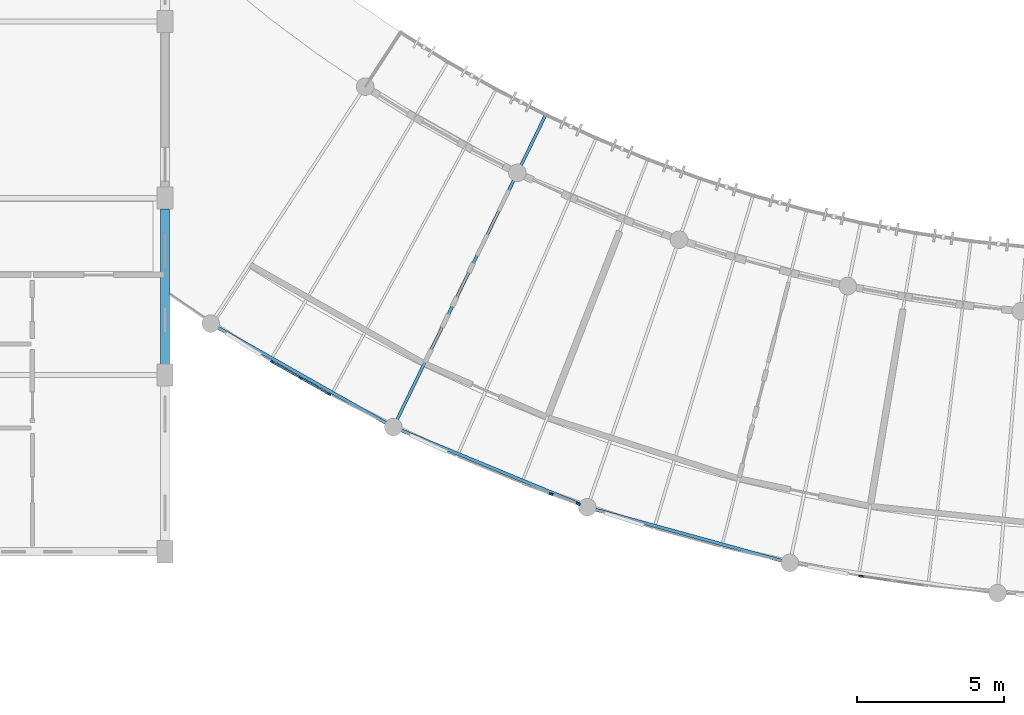
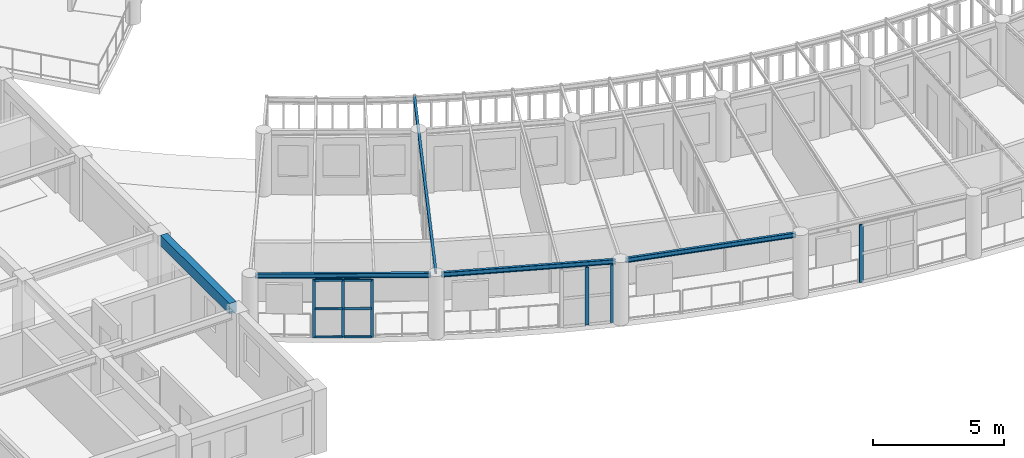
# One storey, part 4 of 100: 12 members, 5 beams, 3 elements without a shape of their own.
"""IFC4 building model written with IfcOpenShell, lengths in metres."""

from ifc_helpers import new_model, si_unit, direction, frame, origin, origin_2d, place, context, subcontext, project, spatial, rectangle, i_section, extrude, material, layer, layer_set, material_profile, profile_set, type_object, element, aggregate, save


model = new_model("IFC4")

# Units and contexts
model_context = context("Model", 3, precision=1e-05, world=origin(), true_north=direction((0.0, 1.0)))
body_context = subcontext(model_context, "Body", "Model", "MODEL_VIEW")
ifc_project = project(units=[si_unit("LENGTHUNIT", "METRE"), si_unit("AREAUNIT", "SQUARE_METRE"), si_unit("VOLUMEUNIT", "CUBIC_METRE"), si_unit("PLANEANGLEUNIT", "RADIAN"), si_unit("MASSUNIT", "GRAM", prefix="KILO"), si_unit("POWERUNIT", "WATT"), si_unit("THERMODYNAMICTEMPERATUREUNIT", "KELVIN")], contexts=[model_context])

# Site, building, storey
site_placement = place(None, origin())
site = spatial("IfcSite", under=ifc_project, at=site_placement, CompositionType="ELEMENT")
building_placement = place(site_placement, origin())
building = spatial("IfcBuilding", under=site, at=building_placement, Name="Ruvembo Vaulted Housing Court", CompositionType="ELEMENT")
storey_placement = place(building_placement, frame((0.0, 0.0, 14.10009765625)))
storey = spatial("IfcBuildingStorey", under=building, at=storey_placement, Name="L04", CompositionType="ELEMENT", Elevation=14.10009765625)

# Beams
ifc_material_1 = material(Name="Steel S355J2", Category="steel")
ifc_material_profile_1 = material_profile(ifc_material_1, i_section(OverallWidth=0.10009765625, OverallDepth=0.199951171875, WebThickness=0.005615234375, FlangeThickness=0.008544921875, FilletRadius=0.011962890625, at=origin_2d()), Name="IPE 200")
ifc_profile_set_1 = profile_set([ifc_material_profile_1], Name="Steel S355J2")
beam_type_1 = type_object("IfcBeamType", Name="BM-ST-IPE200", PredefinedType="BEAM", material=ifc_profile_set_1)
beam_1_placement = place(storey_placement, frame((43.8330078125, 10.400390625, 2.83984375), z_axis=(0.438390187834, 0.898784759111, 0.0), x_axis=(-0.898784759111, 0.438390187834, 0.0)))
element("IfcBeam", 1, at=beam_1_placement, inside=storey, type_object=beam_type_1, Name="Scoop SC2 L04 Radial Steel Joist 3", PredefinedType="BEAM", context=body_context, shape_type="SweptSolid", body=[
    extrude(i_section(OverallWidth=0.10009765625, OverallDepth=0.199951171875, WebThickness=0.005615234375, FlangeThickness=0.008544921875, FilletRadius=0.011962890625, at=origin_2d()), origin(), (0.0, 0.0, 1.0), 11.64990234375),
])
ifc_material_profile_2 = material_profile(ifc_material_1, i_section(OverallWidth=0.110107421875, OverallDepth=0.219970703125, WebThickness=0.005859375, FlangeThickness=0.00927734375, FilletRadius=0.011962890625, at=origin_2d()), Name="IPE 220")
ifc_profile_set_2 = profile_set([ifc_material_profile_2], Name="Steel S355J2")
beam_type_2 = type_object("IfcBeamType", Name="BM-ST-IPE220", PredefinedType="SPANDREL", material=ifc_profile_set_2)
beam_2_placement = place(storey_placement, frame((37.717529296875, 13.648681640625, 2.831787109375), z_axis=(0.869968867389, -0.493106651521, 0.0), x_axis=(0.493106651521, 0.869968867389, 0.0)))
element("IfcBeam", 2, at=beam_2_placement, inside=storey, type_object=beam_type_2, Name="Scoop SC2 L04 Chord Girder B0", PredefinedType="SPANDREL", context=body_context, shape_type="SweptSolid", body=[
    extrude(i_section(OverallWidth=0.110107421875, OverallDepth=0.219970703125, WebThickness=0.005859375, FlangeThickness=0.00927734375, FilletRadius=0.011962890625, at=origin_2d()), origin(), (0.0, 0.0, 1.0), 6.743896484375),
])
for number, where, z_axis, x_axis, name in (
    (3, (43.92529296875, 10.156982421875, 2.831787109375), (0.924184769777, -0.381945691575, 0.0), (0.381945691575, 0.924184769777, 0.0), "Scoop SC2 L04 Chord Girder B3"),
    (4, (50.516845703125, 7.4580078125, 2.831787109375), (0.964271768647, -0.264914998046, 0.0), (0.264914998046, 0.964271768647, 0.0), "Scoop SC2 L04 Chord Girder B6"),
):
    element("IfcBeam", number, at=place(storey_placement, frame(where, z_axis=z_axis, x_axis=x_axis)), inside=storey, type_object=beam_type_2, Name=name, PredefinedType="SPANDREL", context=body_context, shape_type="SweptSolid", body=[
        extrude(i_section(OverallWidth=0.110107421875, OverallDepth=0.219970703125, WebThickness=0.005859375, FlangeThickness=0.00927734375, FilletRadius=0.011962890625, at=origin_2d()), origin(), (0.0, 0.0, 1.0), 6.744140625),
    ])

# Curtain wall, members
ifc_material_2 = material(Name="Anodised Aluminium and Solar-Control Glass", Category="aluminium")
ifc_layer_1 = layer(ifc_material_2, 0.1201171875, Name="Anodised Aluminium and Solar-Control Glass")
ifc_layer_set_1 = layer_set([ifc_layer_1], Name="Anodised Aluminium and Solar-Control Glass")
curtain_wall_type_1 = type_object("IfcCurtainWallType", Name="CW-SCOOP-GAL", PredefinedType="NOTDEFINED", material=ifc_layer_set_1)
curtain_wall_1_placement = place(storey_placement, origin())
curtain_wall_1 = element("IfcCurtainWall", 5, at=curtain_wall_1_placement, inside=storey, type_object=curtain_wall_type_1, Name="L04 Curtain Wall CW-L04-0047", PredefinedType="NOTDEFINED")
ifc_material_3 = material(Name="Anodised Aluminium 6063-T6", Category="aluminium")
ifc_material_profile_3 = material_profile(ifc_material_3, rectangle(XDim=0.054931640625, YDim=0.1201171875, at=origin_2d()), Name="ALU 55x120")
ifc_profile_set_3 = profile_set([ifc_material_profile_3], Name="Anodised Aluminium 6063-T6")
member_type_1 = type_object("IfcMemberType", Name="CW-MUL-55x120", PredefinedType="MULLION", material=ifc_profile_set_3)
member_1_placement = place(storey_placement, frame((39.63671875, 12.4482421875, 0.0), z_axis=(0.0, 0.0, 1.0), x_axis=(0.493079088202, 0.869984489964, 0.0)))
member_1 = element("IfcMember", 6, at=member_1_placement, type_object=member_type_1, Name="CW6 mullion 1", PredefinedType="MULLION", context=body_context, shape_type="SweptSolid", body=[
    extrude(rectangle(XDim=0.054931640625, YDim=0.1201171875, at=origin_2d()), origin(), (0.0, 0.0, 1.0), 2.697998046875),
])
member_2_placement = place(storey_placement, frame((40.602783203125, 11.900634765625, 0.0), z_axis=(0.0, 0.0, 1.0), x_axis=(0.493079088202, 0.869984489964, 0.0)))
member_2 = element("IfcMember", 7, at=member_2_placement, type_object=member_type_1, Name="CW6 mullion 2", PredefinedType="MULLION", context=body_context, shape_type="SweptSolid", body=[
    extrude(rectangle(XDim=0.054931640625, YDim=0.1201171875, at=origin_2d()), origin(), (0.0, 0.0, 1.0), 2.697998046875),
])
member_3_placement = place(storey_placement, frame((41.56884765625, 11.353271484375, 0.0), z_axis=(0.0, 0.0, 1.0), x_axis=(0.493079088202, 0.869984489964, 0.0)))
member_3 = element("IfcMember", 8, at=member_3_placement, type_object=member_type_1, Name="CW6 mullion 3", PredefinedType="MULLION", context=body_context, shape_type="SweptSolid", body=[
    extrude(rectangle(XDim=0.054931640625, YDim=0.1201171875, at=origin_2d()), origin(), (0.0, 0.0, 1.0), 2.697998046875),
])

curtain_wall_2_placement = place(storey_placement, origin())
curtain_wall_2 = element("IfcCurtainWall", 9, at=curtain_wall_2_placement, inside=storey, type_object=curtain_wall_type_1, Name="L04 Curtain Wall CW-L04-0048", PredefinedType="NOTDEFINED")
ifc_material_profile_4 = material_profile(ifc_material_3, rectangle(XDim=0.06005859375, YDim=0.139892578125, at=origin_2d()), Name="ALU 60x140")
ifc_profile_set_4 = profile_set([ifc_material_profile_4], Name="Anodised Aluminium 6063-T6")
member_type_2 = type_object("IfcMemberType", Name="CW-MUL-60x140", PredefinedType="MULLION", material=ifc_profile_set_4)
member_4_placement = place(storey_placement, frame((49.1005859375, 7.95947265625, 0.0), z_axis=(0.0, 0.0, 1.0), x_axis=(0.343490217835, 0.939156254439, 0.0)))
member_4 = element("IfcMember", 10, at=member_4_placement, type_object=member_type_2, Name="CW6 mullion 2", PredefinedType="MULLION", context=body_context, shape_type="SweptSolid", body=[
    extrude(rectangle(XDim=0.06005859375, YDim=0.139892578125, at=origin_2d()), origin(), (0.0, 0.0, 1.0), 2.697998046875),
])
member_5_placement = place(storey_placement, frame((50.02392578125, 7.621826171875, 0.0), z_axis=(0.0, 0.0, 1.0), x_axis=(0.343490217835, 0.939156254439, 0.0)))
member_5 = element("IfcMember", 11, at=member_5_placement, type_object=member_type_2, Name="CW6 mullion 3", PredefinedType="MULLION", context=body_context, shape_type="SweptSolid", body=[
    extrude(rectangle(XDim=0.06005859375, YDim=0.139892578125, at=origin_2d()), origin(), (0.0, 0.0, 1.0), 2.697998046875),
])
aggregate(curtain_wall_2, [member_4, member_5])

# Curtain wall, member
ifc_layer_2 = layer(ifc_material_2, 0.139892578125, Name="Anodised Aluminium and Solar-Control Glass")
ifc_layer_set_2 = layer_set([ifc_layer_2], Name="Anodised Aluminium and Solar-Control Glass")
curtain_wall_type_2 = type_object("IfcCurtainWallType", Name="CW-SCOOP-PAN", PredefinedType="NOTDEFINED", material=ifc_layer_set_2)
curtain_wall_3_placement = place(storey_placement, origin())
curtain_wall_3 = element("IfcCurtainWall", 12, at=curtain_wall_3_placement, inside=storey, type_object=curtain_wall_type_2, Name="L04 Curtain Wall CW-L04-0049", PredefinedType="NOTDEFINED")
ifc_material_profile_5 = material_profile(ifc_material_3, rectangle(XDim=0.06005859375, YDim=0.159912109375, at=origin_2d()), Name="ALU 60x160")
ifc_profile_set_5 = profile_set([ifc_material_profile_5], Name="Anodised Aluminium 6063-T6")
member_type_3 = type_object("IfcMemberType", Name="CW-MULLION-65x150", PredefinedType="MULLION", material=ifc_profile_set_5)
member_6_placement = place(storey_placement, frame((59.617431640625, 5.1708984375, 0.0), z_axis=(0.0, 0.0, 1.0), x_axis=(0.143850661969, 0.989599407362, 0.0)))
member_6 = element("IfcMember", 13, at=member_6_placement, type_object=member_type_3, Name="CW10 mullion 1", PredefinedType="MULLION", context=body_context, shape_type="SweptSolid", body=[
    extrude(rectangle(XDim=0.06005859375, YDim=0.159912109375, at=origin_2d()), origin(), (0.0, 0.0, 1.0), 2.697998046875),
])
aggregate(curtain_wall_3, [member_6])

# Member
ifc_material_profile_6 = material_profile(ifc_material_3, rectangle(XDim=0.06005859375, YDim=0.10009765625, at=origin_2d()), Name="ALU 60x100")
ifc_profile_set_6 = profile_set([ifc_material_profile_6], Name="Anodised Aluminium 6063-T6")
member_type_4 = type_object("IfcMemberType", Name="CW-TRN-60x100", PredefinedType="USERDEFINED", material=ifc_profile_set_6)
member_7_placement = place(storey_placement, frame((39.66064453125, 12.4345703125, 0.02978515625), z_axis=(0.870045337697, -0.492971713542, 0.0), x_axis=(0.492971713542, 0.870045337697, 0.0)))
member_7 = element("IfcMember", 14, at=member_7_placement, type_object=member_type_4, Name="CW6 transom 1.1", ObjectType="TRANSOM", PredefinedType="USERDEFINED", context=body_context, shape_type="SweptSolid", body=[
    extrude(rectangle(XDim=0.06005859375, YDim=0.10009765625, at=origin_2d()), origin(), (0.0, 0.0, 1.0), 1.055419921875),
])

member_8_placement = place(storey_placement, frame((39.66064453125, 12.4345703125, 1.348876953125), z_axis=(0.870045337697, -0.492971713542, 0.0), x_axis=(0.492971713542, 0.870045337697, 0.0)))
member_8 = element("IfcMember", 15, at=member_8_placement, type_object=member_type_4, Name="CW6 transom 1.2", ObjectType="TRANSOM", PredefinedType="USERDEFINED", context=body_context, shape_type="SweptSolid", body=[
    extrude(rectangle(XDim=0.06005859375, YDim=0.10009765625, at=origin_2d()), origin(), (0.0, 0.0, 1.0), 1.055419921875),
])

member_9_placement = place(storey_placement, frame((39.66064453125, 12.4345703125, 2.66796875), z_axis=(0.870045337697, -0.492971713542, 0.0), x_axis=(0.492971713542, 0.870045337697, 0.0)))
member_9 = element("IfcMember", 16, at=member_9_placement, type_object=member_type_4, Name="CW6 transom 1.3", ObjectType="TRANSOM", PredefinedType="USERDEFINED", context=body_context, shape_type="SweptSolid", body=[
    extrude(rectangle(XDim=0.06005859375, YDim=0.10009765625, at=origin_2d()), origin(), (0.0, 0.0, 1.0), 1.055419921875),
])

member_10_placement = place(storey_placement, frame((40.626708984375, 11.88720703125, 0.02978515625), z_axis=(0.86994611066, -0.493146798173, 0.0), x_axis=(0.493146798173, 0.86994611066, 0.0)))
member_10 = element("IfcMember", 17, at=member_10_placement, type_object=member_type_4, Name="CW6 transom 2.1", ObjectType="TRANSOM", PredefinedType="USERDEFINED", context=body_context, shape_type="SweptSolid", body=[
    extrude(rectangle(XDim=0.06005859375, YDim=0.10009765625, at=origin_2d()), origin(), (0.0, 0.0, 1.0), 1.055419921875),
])

member_11_placement = place(storey_placement, frame((40.626708984375, 11.88720703125, 1.348876953125), z_axis=(0.86994611066, -0.493146798173, 0.0), x_axis=(0.493146798173, 0.86994611066, 0.0)))
member_11 = element("IfcMember", 18, at=member_11_placement, type_object=member_type_4, Name="CW6 transom 2.2", ObjectType="TRANSOM", PredefinedType="USERDEFINED", context=body_context, shape_type="SweptSolid", body=[
    extrude(rectangle(XDim=0.06005859375, YDim=0.10009765625, at=origin_2d()), origin(), (0.0, 0.0, 1.0), 1.055419921875),
])

member_12_placement = place(storey_placement, frame((40.626708984375, 11.88720703125, 2.66796875), z_axis=(0.86994611066, -0.493146798173, 0.0), x_axis=(0.493146798173, 0.86994611066, 0.0)))
member_12 = element("IfcMember", 19, at=member_12_placement, type_object=member_type_4, Name="CW6 transom 2.3", ObjectType="TRANSOM", PredefinedType="USERDEFINED", context=body_context, shape_type="SweptSolid", body=[
    extrude(rectangle(XDim=0.06005859375, YDim=0.10009765625, at=origin_2d()), origin(), (0.0, 0.0, 1.0), 1.055419921875),
])

aggregate(curtain_wall_1, [member_1, member_2, member_3, member_7, member_8, member_9, member_10, member_11, member_12])

# Beam
ifc_material_4 = material(Name="Concrete C35/45", Category="concrete")
ifc_material_profile_7 = material_profile(ifc_material_4, rectangle(XDim=0.300048828125, YDim=0.5, at=origin_2d()), Name="RC 300x500")
ifc_profile_set_7 = profile_set([ifc_material_profile_7], Name="Concrete C35/45")
beam_type_3 = type_object("IfcBeamType", Name="SP-RC-300x500", PredefinedType="SPANDREL", material=ifc_profile_set_7)
beam_3_placement = place(storey_placement, frame((36.0, 12.360107421875, 2.699951171875), z_axis=(0.0, 1.0, 0.0), x_axis=(-1.0, 0.0, 0.0)))
element("IfcBeam", 20, at=beam_3_placement, inside=storey, type_object=beam_type_3, Name="L04 Grid Beam Y #2175", PredefinedType="SPANDREL", context=body_context, shape_type="SweptSolid", body=[
    extrude(rectangle(XDim=0.300048828125, YDim=0.5, at=origin_2d()), origin(), (0.0, 0.0, 1.0), 5.27978515625),
])

save(model, "model.ifc")
